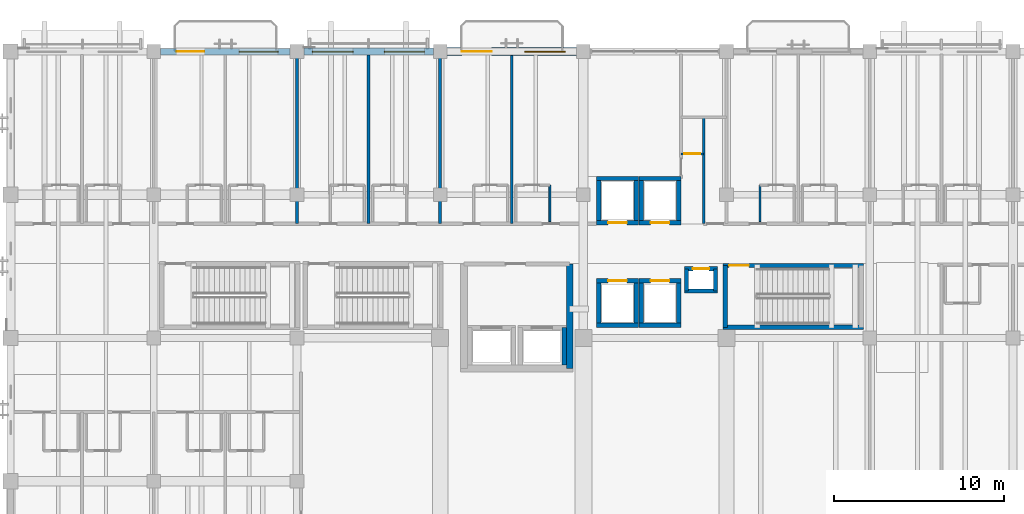
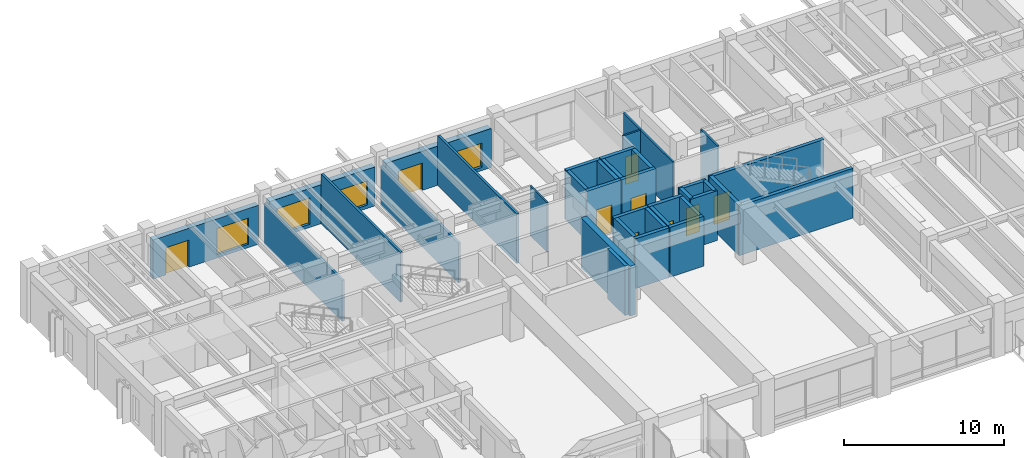
# One storey, part 88 of 132: 36 walls, 9 doors, 4 windows, 13 openings.
"""IFC4 building model written with IfcOpenShell, lengths in metres."""

from ifc_helpers import new_model, si_unit, direction, frame, frame_2d, origin, place, context, subcontext, project, spatial, rectangle, extrude, material, layer, layer_set, type_object, element, fill, save


model = new_model("IFC4")

# Units and contexts
model_context = context("Model", 3, precision=1e-05, world=origin(), true_north=direction((0.0, 1.0)))
body_context = subcontext(model_context, "Body", "Model", "MODEL_VIEW")
ifc_project = project(units=[si_unit("LENGTHUNIT", "METRE"), si_unit("AREAUNIT", "SQUARE_METRE"), si_unit("VOLUMEUNIT", "CUBIC_METRE"), si_unit("PLANEANGLEUNIT", "RADIAN"), si_unit("MASSUNIT", "GRAM", prefix="KILO")], contexts=[model_context])

# Site, building, storey
site_placement = place(None, origin())
site = spatial("IfcSite", under=ifc_project, at=site_placement, CompositionType="ELEMENT")
building_placement = place(site_placement, origin())
building = spatial("IfcBuilding", under=site, at=building_placement, Name="Cumbredor Promenade Congress Hotel", CompositionType="ELEMENT")
storey_placement = place(building_placement, frame((0.0, 0.0, 7.56005859375)))
storey = spatial("IfcBuildingStorey", under=building, at=storey_placement, Name="L02", CompositionType="ELEMENT", Elevation=7.56005859375)

# Walls
ifc_material_1 = material(Name="Concrete C50/60", Category="concrete")
ifc_layer_1 = layer(ifc_material_1, 0.39990234375, Name="Concrete C50/60", Category="concrete")
ifc_layer_set_1 = layer_set([ifc_layer_1], Name="Concrete C50/60")
wall_type_1 = type_object("IfcWallType", Name="Seismic Shear Core Wall 400mm", PredefinedType="SHEAR", material=ifc_layer_set_1)
wall_1_placement = place(storey_placement, frame((32.800048828125, 99.0, 0.0), z_axis=(0.0, 0.0, 1.0), x_axis=(0.0, 1.0, 0.0)))
element("IfcWall", 1, at=wall_1_placement, inside=storey, type_object=wall_type_1, Name="L02 Hotel Core Shear Wall E1", PredefinedType="SHEAR", context=body_context, shape_type="SweptSolid", body=[
    extrude(rectangle(XDim=6.14990234375, YDim=0.39990234375, at=frame_2d((3.074951171875, 0.0))), origin(), (0.0, 0.0, 1.0), 3.800048828125),
])
ifc_material_2 = material(Name="Moisture-resistant gypsum board on steel studs", Category="steel")
ifc_layer_2 = layer(ifc_material_2, 0.114990234375, Name="Moisture-resistant gypsum board on steel studs", Category="steel")
ifc_layer_set_2 = layer_set([ifc_layer_2], Name="Moisture-resistant gypsum board on steel studs")
wall_type_2 = type_object("IfcWallType", Name="WL-BATH-115", PredefinedType="PARTITIONING", material=ifc_layer_set_2)
for number, where, z_axis, x_axis, name in (
    (2, (31.639892578125, 107.6201171875, 0.0), (0.0, 0.0, 1.0), (0.0, 1.0, 0.0), "L02 Interior Partition W-L02-BV2-0208"),
    (3, (43.9599609375, 107.6201171875, 0.0), (0.0, 0.0, 1.0), (0.0, 1.0, 0.0), "L02 Interior Partition W-L02-BV1-0209"),
):
    element("IfcWall", number, at=place(storey_placement, frame(where, z_axis=z_axis, x_axis=x_axis)), inside=storey, type_object=wall_type_2, Name=name, PredefinedType="PARTITIONING", context=body_context, shape_type="SweptSolid", body=[
        extrude(rectangle(XDim=2.14990234375, YDim=0.114990234375, at=frame_2d((1.074951171875, 0.0))), origin(), (0.0, 0.0, 1.0), 3.800048828125),
    ])

# Wall, openings, door, window
ifc_material_3 = material(Name="Concrete C40/50", Category="concrete")
ifc_layer_3 = layer(ifc_material_3, 0.3798828125, Name="Concrete C40/50", Category="concrete")
ifc_layer_set_3 = layer_set([ifc_layer_3], Name="Concrete C40/50")
wall_type_3 = type_object("IfcWallType", Name="WL-EXT-380", PredefinedType="SOLIDWALL", material=ifc_layer_set_3)
wall_2_placement = place(storey_placement, frame((8.801025390625, 117.60009765625, 0.0), z_axis=(0.0, 0.0, 1.0), x_axis=(1.0, 0.0, 0.0)))
wall_2 = element("IfcWall", 4, at=wall_2_placement, inside=storey, type_object=wall_type_3, Name="L02 Stepped Congress Hotel Wing North Envelope Wall 2", PredefinedType="SOLIDWALL", context=body_context, shape_type="SweptSolid", body=[
    extrude(rectangle(XDim=7.597900390625, YDim=0.3798828125, at=frame_2d((3.798828125, 0.0))), origin(), (0.0, 0.0, 1.0), 2.98486328125),
])
opening_1_placement = place(wall_2_placement, frame((0.924072265625, 0.0, 0.0)))
opening_1 = element("IfcOpeningElement", 5, at=opening_1_placement, cuts=wall_2, Name="Opening TD-02", PredefinedType="OPENING", context=body_context, shape_type="SweptSolid", body=[
    extrude(rectangle(XDim=1.64990234375, YDim=2.080078125, at=frame_2d((0.824951171875, 1.0400390625))), frame((0.0, 0.199951171875, 0.0), z_axis=(0.0, -1.0, 0.0), x_axis=(1.0, 0.0, 0.0)), (0.0, 0.0, 1.0), 0.39990234375),
])
opening_2_placement = place(wall_2_placement, frame((4.60888671875, 0.0, 0.25)))
opening_2 = element("IfcOpeningElement", 6, at=opening_2_placement, cuts=wall_2, Name="Opening WN-40", PredefinedType="OPENING", context=body_context, shape_type="SweptSolid", body=[
    extrude(rectangle(XDim=2.280029296875, YDim=2.0, at=frame_2d((1.14013671875, 1.0))), frame((0.0, 0.199951171875, 0.0), z_axis=(0.0, -1.0, 0.0), x_axis=(1.0, 0.0, 0.0)), (0.0, 0.0, 1.0), 0.39990234375),
])
ifc_material_4 = material(Name="Thermally broken anodized aluminium and laminated safety glass", Category="aluminium")
door_type_1 = type_object("IfcDoorType", Name="EXT-DR-TER-1650x2080", OperationType="DOUBLE_DOOR_SINGLE_SWING", PredefinedType="DOOR", material=ifc_material_4)
door_1_placement = place(opening_1_placement, origin())
door_1 = element("IfcDoor", 7, at=door_1_placement, inside=storey, type_object=door_type_1, Name="L02 Guestroom Veranda Balcony Door 037", OperationType="DOUBLE_DOOR_SINGLE_SWING", OverallHeight=2.080078125, OverallWidth=1.64990234375, PredefinedType="DOOR", context=body_context, shape_type="SweptSolid", body=[
    extrude(rectangle(XDim=1.64990234375, YDim=2.080078125, at=frame_2d((0.824951171875, 1.0400390625))), frame((0.0, 0.02490234375, 0.0), z_axis=(0.0, -1.0, 0.0), x_axis=(1.0, 0.0, 0.0)), (0.0, 0.0, 1.0), 0.050048828125),
])
fill(opening_1, door_1)
ifc_material_5 = material(Name="Thermally broken anodized aluminium and low-E glass", Category="aluminium")
window_type_1 = type_object("IfcWindowType", Name="Hospitality Floor-to-Ceiling Window WN-40 2280x2000", PartitioningType="DOUBLE_PANEL_VERTICAL", PredefinedType="WINDOW", material=ifc_material_5)
window_1_placement = place(opening_2_placement, origin())
window_1 = element("IfcWindow", 8, at=window_1_placement, inside=storey, type_object=window_type_1, Name="L02 Veranda Companion Floor-to-Ceiling Window 0311", OverallHeight=2.0, OverallWidth=2.280029296875, PartitioningType="DOUBLE_PANEL_VERTICAL", PredefinedType="WINDOW", context=body_context, shape_type="SweptSolid", body=[
    extrude(rectangle(XDim=2.280029296875, YDim=2.0, at=frame_2d((1.14013671875, 1.0))), frame((0.0, 0.030029296875, 0.0), z_axis=(0.0, -1.0, 0.0), x_axis=(1.0, 0.0, 0.0)), (0.0, 0.0, 1.0), 0.06005859375),
])
fill(opening_2, window_1)

# Wall, openings, windows
ifc_layer_4 = layer(ifc_material_3, 0.425048828125, Name="Concrete C40/50", Category="concrete")
ifc_layer_set_4 = layer_set([ifc_layer_4], Name="Concrete C40/50")
wall_type_4 = type_object("IfcWallType", Name="WL-EXT-425", PredefinedType="SOLIDWALL", material=ifc_layer_set_4)
wall_3_placement = place(storey_placement, frame((17.200927734375, 117.60009765625, 0.0), z_axis=(0.0, 0.0, 1.0), x_axis=(1.0, 0.0, 0.0)))
wall_3 = element("IfcWall", 9, at=wall_3_placement, inside=storey, type_object=wall_type_4, Name="L02 Stepped Congress Hotel Wing North Envelope Wall 3", PredefinedType="SOLIDWALL", context=body_context, shape_type="SweptSolid", body=[
    extrude(rectangle(XDim=7.59814453125, YDim=0.425048828125, at=frame_2d((3.799072265625, 0.0))), origin(), (0.0, 0.0, 1.0), 2.98486328125),
])
opening_3_placement = place(wall_3_placement, frame((0.509033203125, 0.0, 0.25)))
opening_3 = element("IfcOpeningElement", 10, at=opening_3_placement, cuts=wall_3, Name="Opening WN-41", PredefinedType="OPENING", context=body_context, shape_type="SweptSolid", body=[
    extrude(rectangle(XDim=2.3798828125, YDim=2.0, at=frame_2d((1.18994140625, 1.0))), frame((0.0, 0.22265625, 0.0), z_axis=(0.0, -1.0, 0.0), x_axis=(1.0, 0.0, 0.0)), (0.0, 0.0, 1.0), 0.445068359375),
])
opening_4_placement = place(wall_3_placement, frame((4.72412109375, 0.0, 0.25)))
opening_4 = element("IfcOpeningElement", 11, at=opening_4_placement, cuts=wall_3, Name="Opening WN-02", PredefinedType="OPENING", context=body_context, shape_type="SweptSolid", body=[
    extrude(rectangle(XDim=2.35009765625, YDim=1.85009765625, at=frame_2d((1.175048828125, 0.925048828125))), frame((0.0, 0.22265625, 0.0), z_axis=(0.0, -1.0, 0.0), x_axis=(1.0, 0.0, 0.0)), (0.0, 0.0, 1.0), 0.445068359375),
])
window_type_2 = type_object("IfcWindowType", Name="Hospitality Floor-to-Ceiling Window WN-02 2350x1850", PartitioningType="DOUBLE_PANEL_VERTICAL", PredefinedType="WINDOW", material=ifc_material_5)
window_2_placement = place(opening_4_placement, origin())
window_2 = element("IfcWindow", 12, at=window_2_placement, inside=storey, type_object=window_type_2, Name="L02 Wide Hospitality Window 0313", OverallHeight=1.85009765625, OverallWidth=2.35009765625, PartitioningType="DOUBLE_PANEL_VERTICAL", PredefinedType="WINDOW", context=body_context, shape_type="SweptSolid", body=[
    extrude(rectangle(XDim=2.35009765625, YDim=1.85009765625, at=frame_2d((1.175048828125, 0.925048828125))), frame((0.0, 0.030029296875, 0.0), z_axis=(0.0, -1.0, 0.0), x_axis=(1.0, 0.0, 0.0)), (0.0, 0.0, 1.0), 0.06005859375),
])
fill(opening_4, window_2)
window_type_3 = type_object("IfcWindowType", Name="Hospitality Floor-to-Ceiling Window WN-41 2380x2000", PartitioningType="DOUBLE_PANEL_VERTICAL", PredefinedType="WINDOW", material=ifc_material_5)
window_3_placement = place(opening_3_placement, origin())
window_3 = element("IfcWindow", 13, at=window_3_placement, inside=storey, type_object=window_type_3, Name="L02 Wide Hospitality Window 0312", OverallHeight=2.0, OverallWidth=2.3798828125, PartitioningType="DOUBLE_PANEL_VERTICAL", PredefinedType="WINDOW", context=body_context, shape_type="SweptSolid", body=[
    extrude(rectangle(XDim=2.3798828125, YDim=2.0, at=frame_2d((1.18994140625, 1.0))), frame((0.0, 0.030029296875, 0.0), z_axis=(0.0, -1.0, 0.0), x_axis=(1.0, 0.0, 0.0)), (0.0, 0.0, 1.0), 0.06005859375),
])
fill(opening_3, window_3)

# Wall, openings, door, window
ifc_layer_5 = layer(ifc_material_3, 0.449951171875, Name="Concrete C40/50", Category="concrete")
ifc_layer_set_5 = layer_set([ifc_layer_5], Name="Concrete C40/50")
wall_type_5 = type_object("IfcWallType", Name="WL-EXT-450", PredefinedType="SOLIDWALL", material=ifc_layer_set_5)
wall_4_placement = place(storey_placement, frame((25.60107421875, 117.60009765625, 0.0), z_axis=(0.0, 0.0, 1.0), x_axis=(1.0, 0.0, 0.0)))
wall_4 = element("IfcWall", 14, at=wall_4_placement, inside=storey, type_object=wall_type_5, Name="L02 Stepped Congress Hotel Wing North Envelope Wall 4", PredefinedType="SOLIDWALL", context=body_context, shape_type="SweptSolid", body=[
    extrude(rectangle(XDim=7.597900390625, YDim=0.449951171875, at=frame_2d((3.798828125, 0.0))), origin(), (0.0, 0.0, 1.0), 2.98486328125),
])
opening_5_placement = place(wall_4_placement, frame((0.8740234375, 0.0, 0.0)))
opening_5 = element("IfcOpeningElement", 15, at=opening_5_placement, cuts=wall_4, Name="Opening TD-03", PredefinedType="OPENING", context=body_context, shape_type="SweptSolid", body=[
    extrude(rectangle(XDim=1.75, YDim=2.080078125, at=frame_2d((0.875, 1.0400390625))), frame((0.0, 0.23486328125, 0.0), z_axis=(0.0, -1.0, 0.0), x_axis=(1.0, 0.0, 0.0)), (0.0, 0.0, 1.0), 0.469970703125),
])
opening_6_placement = place(wall_4_placement, frame((4.573974609375, 0.0, 0.25)))
opening_6 = element("IfcOpeningElement", 16, at=opening_6_placement, cuts=wall_4, Name="Opening WN-02", PredefinedType="OPENING", context=body_context, shape_type="SweptSolid", body=[
    extrude(rectangle(XDim=2.35009765625, YDim=1.85009765625, at=frame_2d((1.175048828125, 0.925048828125))), frame((0.0, 0.23486328125, 0.0), z_axis=(0.0, -1.0, 0.0), x_axis=(1.0, 0.0, 0.0)), (0.0, 0.0, 1.0), 0.469970703125),
])
door_type_2 = type_object("IfcDoorType", Name="EXT-DR-TER-1750x2080", OperationType="DOUBLE_DOOR_SINGLE_SWING", PredefinedType="DOOR", material=ifc_material_4)
door_2_placement = place(opening_5_placement, origin())
door_2 = element("IfcDoor", 17, at=door_2_placement, inside=storey, type_object=door_type_2, Name="L02 Guestroom Veranda Balcony Door 038", OperationType="DOUBLE_DOOR_SINGLE_SWING", OverallHeight=2.080078125, OverallWidth=1.75, PredefinedType="DOOR", context=body_context, shape_type="SweptSolid", body=[
    extrude(rectangle(XDim=1.75, YDim=2.080078125, at=frame_2d((0.875, 1.0400390625))), frame((0.0, 0.02490234375, 0.0), z_axis=(0.0, -1.0, 0.0), x_axis=(1.0, 0.0, 0.0)), (0.0, 0.0, 1.0), 0.050048828125),
])
fill(opening_5, door_2)
window_4_placement = place(opening_6_placement, origin())
window_4 = element("IfcWindow", 18, at=window_4_placement, inside=storey, type_object=window_type_2, Name="L02 Veranda Companion Floor-to-Ceiling Window 0314", OverallHeight=1.85009765625, OverallWidth=2.35009765625, PartitioningType="DOUBLE_PANEL_VERTICAL", PredefinedType="WINDOW", context=body_context, shape_type="SweptSolid", body=[
    extrude(rectangle(XDim=2.35009765625, YDim=1.85009765625, at=frame_2d((1.175048828125, 0.925048828125))), frame((0.0, 0.030029296875, 0.0), z_axis=(0.0, -1.0, 0.0), x_axis=(1.0, 0.0, 0.0)), (0.0, 0.0, 1.0), 0.06005859375),
])
fill(opening_6, window_4)

# Wall, opening, door
ifc_material_6 = material(Name="Gypsum board on steel studs", Category="steel")
ifc_layer_6 = layer(ifc_material_6, 0.125, Name="Gypsum board on steel studs", Category="steel")
ifc_layer_set_6 = layer_set([ifc_layer_6], Name="Gypsum board on steel studs")
wall_type_6 = type_object("IfcWallType", Name="WL-PART-125", PredefinedType="PARTITIONING", material=ifc_layer_set_6)
wall_5_placement = place(storey_placement, frame((39.330078125, 111.60009765625, 0.0), z_axis=(0.0, 0.0, 1.0), x_axis=(1.0, 0.0, 0.0)))
wall_5 = element("IfcWall", 19, at=wall_5_placement, inside=storey, type_object=wall_type_6, Name="L02 Interior Partition W-L02-HK-S", PredefinedType="PARTITIONING", context=body_context, shape_type="SweptSolid", body=[
    extrude(rectangle(XDim=1.329833984375, YDim=0.125, at=frame_2d((0.6650390625, 0.0))), origin(), (0.0, 0.0, 1.0), 3.800048828125),
])
opening_7_placement = place(wall_5_placement, frame((0.195068359375, 0.0, 0.0)))
opening_7 = element("IfcOpeningElement", 20, at=opening_7_placement, cuts=wall_5, Name="Opening FD-03", PredefinedType="OPENING", context=body_context, shape_type="SweptSolid", body=[
    extrude(rectangle(XDim=0.93994140625, YDim=2.10009765625, at=frame_2d((0.469970703125, 1.050048828125))), frame((0.0, 0.072509765625, 0.0), z_axis=(0.0, -1.0, 0.0), x_axis=(1.0, 0.0, 0.0)), (0.0, 0.0, 1.0), 0.14501953125),
])
ifc_material_7 = material(Name="Painted galvanized steel fire door", Category="steel")
door_type_3 = type_object("IfcDoorType", Name="DR-SGL-FD60-950", OperationType="NOTDEFINED", PredefinedType="DOOR", material=ifc_material_7)
door_3_placement = place(opening_7_placement, origin())
door_3 = element("IfcDoor", 21, at=door_3_placement, inside=storey, type_object=door_type_3, Name="L02 Interior Door W-L02-HK-S-01", OperationType="SINGLE_SWING_LEFT", OverallHeight=2.10009765625, OverallWidth=0.93994140625, PredefinedType="DOOR", context=body_context, shape_type="SweptSolid", body=[
    extrude(rectangle(XDim=0.93994140625, YDim=2.10009765625, at=frame_2d((0.469970703125, 1.050048828125))), frame((0.0, 0.02490234375, 0.0), z_axis=(0.0, -1.0, 0.0), x_axis=(1.0, 0.0, 0.0)), (0.0, 0.0, 1.0), 0.050048828125),
])
fill(opening_7, door_3)

# Walls
wall_6_placement = place(storey_placement, frame((40.659912109375, 107.5, 0.0), z_axis=(0.0, 0.0, 1.0), x_axis=(0.0, 1.0, 0.0)))
element("IfcWall", 22, at=wall_6_placement, inside=storey, type_object=wall_type_6, Name="L02 Interior Partition W-L02-HK-DIV", PredefinedType="PARTITIONING", context=body_context, shape_type="SweptSolid", body=[
    extrude(rectangle(XDim=6.25, YDim=0.125, at=frame_2d((3.125, 0.0))), origin(), (0.0, 0.0, 1.0), 3.800048828125),
])
ifc_layer_7 = layer(ifc_material_3, 0.2548828125, Name="Concrete C40/50", Category="concrete")
ifc_layer_set_7 = layer_set([ifc_layer_7], Name="Concrete C40/50")
wall_type_7 = type_object("IfcWallType", Name="WL-SHAFT-250", PredefinedType="SOLIDWALL", material=ifc_layer_set_7)
wall_7_placement = place(storey_placement, frame((41.802490234375, 101.419921875, 0.0), z_axis=(0.0, 0.0, 1.0), x_axis=(1.0, 0.0, 0.0)))
element("IfcWall", 23, at=wall_7_placement, inside=storey, type_object=wall_type_7, Name="STAIR-ST-03-L02 Shaft Wall South", PredefinedType="SOLIDWALL", context=body_context, shape_type="SweptSolid", body=[
    extrude(rectangle(XDim=8.22509765625, YDim=0.2548828125, at=frame_2d((4.112548828125, 0.0))), origin(), (0.0, 0.0, 1.0), 3.800048828125),
])

# Wall, opening, door
wall_8_placement = place(storey_placement, frame((41.802490234375, 105.050048828125, 0.0), z_axis=(0.0, 0.0, 1.0), x_axis=(1.0, 0.0, 0.0)))
wall_8 = element("IfcWall", 24, at=wall_8_placement, inside=storey, type_object=wall_type_7, Name="STAIR-ST-03-L02 Shaft Wall North", PredefinedType="SOLIDWALL", context=body_context, shape_type="SweptSolid", body=[
    extrude(rectangle(XDim=8.22509765625, YDim=0.2548828125, at=frame_2d((4.112548828125, 0.0))), origin(), (0.0, 0.0, 1.0), 3.800048828125),
])
opening_8_placement = place(wall_8_placement, frame((0.35009765625, 0.0, 0.0)))
opening_8 = element("IfcOpeningElement", 25, at=opening_8_placement, cuts=wall_8, Name="Opening SD-01", PredefinedType="OPENING", context=body_context, shape_type="SweptSolid", body=[
    extrude(rectangle(XDim=1.159912109375, YDim=2.14990234375, at=frame_2d((0.580078125, 1.074951171875))), frame((0.0, 0.137451171875, 0.0), z_axis=(0.0, -1.0, 0.0), x_axis=(1.0, 0.0, 0.0)), (0.0, 0.0, 1.0), 0.27490234375),
])
door_type_4 = type_object("IfcDoorType", Name="DR-STAIR-FD90-1150", OperationType="NOTDEFINED", PredefinedType="DOOR", material=ifc_material_7)
door_4_placement = place(opening_8_placement, origin())
door_4 = element("IfcDoor", 26, at=door_4_placement, inside=storey, type_object=door_type_4, Name="L02 Protected Exit Stair ST-03 Door", OperationType="SINGLE_SWING_RIGHT", OverallHeight=2.14990234375, OverallWidth=1.159912109375, PredefinedType="DOOR", context=body_context, shape_type="SweptSolid", body=[
    extrude(rectangle(XDim=1.159912109375, YDim=2.14990234375, at=frame_2d((0.580078125, 1.074951171875))), frame((0.0, 0.02490234375, 0.0), z_axis=(0.0, -1.0, 0.0), x_axis=(1.0, 0.0, 0.0)), (0.0, 0.0, 1.0), 0.050048828125),
])
fill(opening_8, door_4)

# Walls
wall_9_placement = place(storey_placement, frame((41.929931640625, 101.419921875, 0.0), z_axis=(0.0, 0.0, 1.0), x_axis=(0.0, 1.0, 0.0)))
element("IfcWall", 27, at=wall_9_placement, inside=storey, type_object=wall_type_7, Name="STAIR-ST-03-L02 Shaft Wall West", PredefinedType="SOLIDWALL", context=body_context, shape_type="SweptSolid", body=[
    extrude(rectangle(XDim=3.630126953125, YDim=0.2548828125, at=frame_2d((1.81494140625, 0.0))), origin(), (0.0, 0.0, 1.0), 3.800048828125),
])
wall_10_placement = place(storey_placement, frame((32.469970703125, 99.199951171875, 0.0), z_axis=(0.0, 0.0, 1.0), x_axis=(0.0, 1.0, 0.0)))
element("IfcWall", 28, at=wall_10_placement, inside=storey, type_object=wall_type_7, Name="SHAFT-FF-02-L02 Shaft Wall East", PredefinedType="SOLIDWALL", context=body_context, shape_type="SweptSolid", body=[
    extrude(rectangle(XDim=2.199951171875, YDim=0.2548828125, at=frame_2d((1.10009765625, 0.0))), origin(), (0.0, 0.0, 1.0), 3.800048828125),
])

# Wall, opening, door
wall_11_placement = place(storey_placement, frame((34.37255859375, 107.550048828125, 0.0), z_axis=(0.0, 0.0, 1.0), x_axis=(1.0, 0.0, 0.0)))
wall_11 = element("IfcWall", 29, at=wall_11_placement, inside=storey, type_object=wall_type_7, Name="SHAFT-PL-01-L02 Shaft Wall South", PredefinedType="SOLIDWALL", context=body_context, shape_type="SweptSolid", body=[
    extrude(rectangle(XDim=2.454833984375, YDim=0.2548828125, at=frame_2d((1.2275390625, 0.0))), origin(), (0.0, 0.0, 1.0), 3.800048828125),
])
opening_9_placement = place(wall_11_placement, frame((0.677490234375, 0.0, 0.0)))
opening_9 = element("IfcOpeningElement", 30, at=opening_9_placement, cuts=wall_11, Name="Opening LD-01", PredefinedType="OPENING", context=body_context, shape_type="SweptSolid", body=[
    extrude(rectangle(XDim=1.10009765625, YDim=2.14990234375, at=frame_2d((0.550048828125, 1.074951171875))), frame((0.0, 0.137451171875, 0.0), z_axis=(0.0, -1.0, 0.0), x_axis=(1.0, 0.0, 0.0)), (0.0, 0.0, 1.0), 0.27490234375),
])
ifc_material_8 = material(Name="Brushed stainless steel", Category="steel")
door_type_5 = type_object("IfcDoorType", Name="Lift Landing Sliding Door LD-01 1100x2150", OperationType="DOUBLE_DOOR_SLIDING", PredefinedType="DOOR", material=ifc_material_8)
door_5_placement = place(opening_9_placement, origin())
door_5 = element("IfcDoor", 31, at=door_5_placement, inside=storey, type_object=door_type_5, Name="L02 Hotel Passenger Lift PL-01 Sliding Landing Door", OperationType="DOUBLE_DOOR_SLIDING", OverallHeight=2.14990234375, OverallWidth=1.10009765625, PredefinedType="DOOR", context=body_context, shape_type="SweptSolid", body=[
    extrude(rectangle(XDim=1.10009765625, YDim=2.14990234375, at=frame_2d((0.550048828125, 1.074951171875))), frame((0.0, 0.02490234375, 0.0), z_axis=(0.0, -1.0, 0.0), x_axis=(1.0, 0.0, 0.0)), (0.0, 0.0, 1.0), 0.050048828125),
])
fill(opening_9, door_5)

# Walls
wall_12_placement = place(storey_placement, frame((34.37255859375, 110.14990234375, 0.0), z_axis=(0.0, 0.0, 1.0), x_axis=(1.0, 0.0, 0.0)))
element("IfcWall", 32, at=wall_12_placement, inside=storey, type_object=wall_type_7, Name="SHAFT-PL-01-L02 Shaft Wall North", PredefinedType="SOLIDWALL", context=body_context, shape_type="SweptSolid", body=[
    extrude(rectangle(XDim=2.454833984375, YDim=0.2548828125, at=frame_2d((1.2275390625, 0.0))), origin(), (0.0, 0.0, 1.0), 3.800048828125),
])
for number, where, z_axis, x_axis, name in (
    (33, (34.5, 107.550048828125, 0.0), (0.0, 0.0, 1.0), (0.0, 1.0, 0.0), "SHAFT-PL-01-L02 Shaft Wall West"),
    (34, (36.699951171875, 107.550048828125, 0.0), (0.0, 0.0, 1.0), (0.0, 1.0, 0.0), "SHAFT-PL-01-L02 Shaft Wall East"),
):
    element("IfcWall", number, at=place(storey_placement, frame(where, z_axis=z_axis, x_axis=x_axis)), inside=storey, type_object=wall_type_7, Name=name, PredefinedType="SOLIDWALL", context=body_context, shape_type="SweptSolid", body=[
        extrude(rectangle(XDim=2.599853515625, YDim=0.2548828125, at=frame_2d((1.2998046875, 0.0))), origin(), (0.0, 0.0, 1.0), 3.800048828125),
    ])

# Wall, opening, door
wall_13_placement = place(storey_placement, frame((36.87255859375, 107.550048828125, 0.0), z_axis=(0.0, 0.0, 1.0), x_axis=(1.0, 0.0, 0.0)))
wall_13 = element("IfcWall", 35, at=wall_13_placement, inside=storey, type_object=wall_type_7, Name="SHAFT-PL-02-L02 Shaft Wall South", PredefinedType="SOLIDWALL", context=body_context, shape_type="SweptSolid", body=[
    extrude(rectangle(XDim=2.454833984375, YDim=0.2548828125, at=frame_2d((1.2275390625, 0.0))), origin(), (0.0, 0.0, 1.0), 3.800048828125),
])
opening_10_placement = place(wall_13_placement, frame((0.677490234375, 0.0, 0.0)))
opening_10 = element("IfcOpeningElement", 36, at=opening_10_placement, cuts=wall_13, Name="Opening LD-01", PredefinedType="OPENING", context=body_context, shape_type="SweptSolid", body=[
    extrude(rectangle(XDim=1.10009765625, YDim=2.14990234375, at=frame_2d((0.550048828125, 1.074951171875))), frame((0.0, 0.137451171875, 0.0), z_axis=(0.0, -1.0, 0.0), x_axis=(1.0, 0.0, 0.0)), (0.0, 0.0, 1.0), 0.27490234375),
])
door_6_placement = place(opening_10_placement, origin())
door_6 = element("IfcDoor", 37, at=door_6_placement, inside=storey, type_object=door_type_5, Name="L02 Hotel Passenger Lift PL-02 Sliding Landing Door", OperationType="DOUBLE_DOOR_SLIDING", OverallHeight=2.14990234375, OverallWidth=1.10009765625, PredefinedType="DOOR", context=body_context, shape_type="SweptSolid", body=[
    extrude(rectangle(XDim=1.10009765625, YDim=2.14990234375, at=frame_2d((0.550048828125, 1.074951171875))), frame((0.0, 0.02490234375, 0.0), z_axis=(0.0, -1.0, 0.0), x_axis=(1.0, 0.0, 0.0)), (0.0, 0.0, 1.0), 0.050048828125),
])
fill(opening_10, door_6)

# Walls
wall_14_placement = place(storey_placement, frame((36.87255859375, 110.14990234375, 0.0), z_axis=(0.0, 0.0, 1.0), x_axis=(1.0, 0.0, 0.0)))
element("IfcWall", 38, at=wall_14_placement, inside=storey, type_object=wall_type_7, Name="SHAFT-PL-02-L02 Shaft Wall North", PredefinedType="SOLIDWALL", context=body_context, shape_type="SweptSolid", body=[
    extrude(rectangle(XDim=2.454833984375, YDim=0.2548828125, at=frame_2d((1.2275390625, 0.0))), origin(), (0.0, 0.0, 1.0), 3.800048828125),
])
for number, where, z_axis, x_axis, name in (
    (39, (37.0, 107.550048828125, 0.0), (0.0, 0.0, 1.0), (0.0, 1.0, 0.0), "SHAFT-PL-02-L02 Shaft Wall West"),
    (40, (39.199951171875, 107.550048828125, 0.0), (0.0, 0.0, 1.0), (0.0, 1.0, 0.0), "SHAFT-PL-02-L02 Shaft Wall East"),
):
    element("IfcWall", number, at=place(storey_placement, frame(where, z_axis=z_axis, x_axis=x_axis)), inside=storey, type_object=wall_type_7, Name=name, PredefinedType="SOLIDWALL", context=body_context, shape_type="SweptSolid", body=[
        extrude(rectangle(XDim=2.599853515625, YDim=0.2548828125, at=frame_2d((1.2998046875, 0.0))), origin(), (0.0, 0.0, 1.0), 3.800048828125),
    ])
wall_15_placement = place(storey_placement, frame((34.37255859375, 101.550048828125, 0.0), z_axis=(0.0, 0.0, 1.0), x_axis=(1.0, 0.0, 0.0)))
element("IfcWall", 41, at=wall_15_placement, inside=storey, type_object=wall_type_7, Name="SHAFT-PL-03-L02 Shaft Wall South", PredefinedType="SOLIDWALL", context=body_context, shape_type="SweptSolid", body=[
    extrude(rectangle(XDim=2.454833984375, YDim=0.2548828125, at=frame_2d((1.2275390625, 0.0))), origin(), (0.0, 0.0, 1.0), 3.800048828125),
])

# Wall, opening, door
wall_16_placement = place(storey_placement, frame((34.37255859375, 104.14990234375, 0.0), z_axis=(0.0, 0.0, 1.0), x_axis=(1.0, 0.0, 0.0)))
wall_16 = element("IfcWall", 42, at=wall_16_placement, inside=storey, type_object=wall_type_7, Name="SHAFT-PL-03-L02 Shaft Wall North", PredefinedType="SOLIDWALL", context=body_context, shape_type="SweptSolid", body=[
    extrude(rectangle(XDim=2.454833984375, YDim=0.2548828125, at=frame_2d((1.2275390625, 0.0))), origin(), (0.0, 0.0, 1.0), 3.800048828125),
])
opening_11_placement = place(wall_16_placement, frame((0.677490234375, 0.0, 0.0)))
opening_11 = element("IfcOpeningElement", 43, at=opening_11_placement, cuts=wall_16, Name="Opening LD-01", PredefinedType="OPENING", context=body_context, shape_type="SweptSolid", body=[
    extrude(rectangle(XDim=1.10009765625, YDim=2.14990234375, at=frame_2d((0.550048828125, 1.074951171875))), frame((0.0, 0.137451171875, 0.0), z_axis=(0.0, -1.0, 0.0), x_axis=(1.0, 0.0, 0.0)), (0.0, 0.0, 1.0), 0.27490234375),
])
door_7_placement = place(opening_11_placement, origin())
door_7 = element("IfcDoor", 44, at=door_7_placement, inside=storey, type_object=door_type_5, Name="L02 Hotel Passenger Lift PL-03 Sliding Landing Door", OperationType="DOUBLE_DOOR_SLIDING", OverallHeight=2.14990234375, OverallWidth=1.10009765625, PredefinedType="DOOR", context=body_context, shape_type="SweptSolid", body=[
    extrude(rectangle(XDim=1.10009765625, YDim=2.14990234375, at=frame_2d((0.550048828125, 1.074951171875))), frame((0.0, 0.02490234375, 0.0), z_axis=(0.0, -1.0, 0.0), x_axis=(1.0, 0.0, 0.0)), (0.0, 0.0, 1.0), 0.050048828125),
])
fill(opening_11, door_7)

# Walls
for number, where, z_axis, x_axis, name in (
    (45, (34.5, 101.550048828125, 0.0), (0.0, 0.0, 1.0), (0.0, 1.0, 0.0), "SHAFT-PL-03-L02 Shaft Wall West"),
    (46, (36.699951171875, 101.550048828125, 0.0), (0.0, 0.0, 1.0), (0.0, 1.0, 0.0), "SHAFT-PL-03-L02 Shaft Wall East"),
):
    element("IfcWall", number, at=place(storey_placement, frame(where, z_axis=z_axis, x_axis=x_axis)), inside=storey, type_object=wall_type_7, Name=name, PredefinedType="SOLIDWALL", context=body_context, shape_type="SweptSolid", body=[
        extrude(rectangle(XDim=2.599853515625, YDim=0.2548828125, at=frame_2d((1.2998046875, 0.0))), origin(), (0.0, 0.0, 1.0), 3.800048828125),
    ])
wall_17_placement = place(storey_placement, frame((36.87255859375, 101.550048828125, 0.0), z_axis=(0.0, 0.0, 1.0), x_axis=(1.0, 0.0, 0.0)))
element("IfcWall", 47, at=wall_17_placement, inside=storey, type_object=wall_type_7, Name="SHAFT-PL-04-L02 Shaft Wall South", PredefinedType="SOLIDWALL", context=body_context, shape_type="SweptSolid", body=[
    extrude(rectangle(XDim=2.454833984375, YDim=0.2548828125, at=frame_2d((1.2275390625, 0.0))), origin(), (0.0, 0.0, 1.0), 3.800048828125),
])

# Wall, opening, door
wall_18_placement = place(storey_placement, frame((36.87255859375, 104.14990234375, 0.0), z_axis=(0.0, 0.0, 1.0), x_axis=(1.0, 0.0, 0.0)))
wall_18 = element("IfcWall", 48, at=wall_18_placement, inside=storey, type_object=wall_type_7, Name="SHAFT-PL-04-L02 Shaft Wall North", PredefinedType="SOLIDWALL", context=body_context, shape_type="SweptSolid", body=[
    extrude(rectangle(XDim=2.454833984375, YDim=0.2548828125, at=frame_2d((1.2275390625, 0.0))), origin(), (0.0, 0.0, 1.0), 3.800048828125),
])
opening_12_placement = place(wall_18_placement, frame((0.677490234375, 0.0, 0.0)))
opening_12 = element("IfcOpeningElement", 49, at=opening_12_placement, cuts=wall_18, Name="Opening LD-01", PredefinedType="OPENING", context=body_context, shape_type="SweptSolid", body=[
    extrude(rectangle(XDim=1.10009765625, YDim=2.14990234375, at=frame_2d((0.550048828125, 1.074951171875))), frame((0.0, 0.137451171875, 0.0), z_axis=(0.0, -1.0, 0.0), x_axis=(1.0, 0.0, 0.0)), (0.0, 0.0, 1.0), 0.27490234375),
])
door_8_placement = place(opening_12_placement, origin())
door_8 = element("IfcDoor", 50, at=door_8_placement, inside=storey, type_object=door_type_5, Name="L02 Hotel Passenger Lift PL-04 Sliding Landing Door", OperationType="DOUBLE_DOOR_SLIDING", OverallHeight=2.14990234375, OverallWidth=1.10009765625, PredefinedType="DOOR", context=body_context, shape_type="SweptSolid", body=[
    extrude(rectangle(XDim=1.10009765625, YDim=2.14990234375, at=frame_2d((0.550048828125, 1.074951171875))), frame((0.0, 0.02490234375, 0.0), z_axis=(0.0, -1.0, 0.0), x_axis=(1.0, 0.0, 0.0)), (0.0, 0.0, 1.0), 0.050048828125),
])
fill(opening_12, door_8)

# Walls
for number, where, z_axis, x_axis, name in (
    (51, (37.0, 101.550048828125, 0.0), (0.0, 0.0, 1.0), (0.0, 1.0, 0.0), "SHAFT-PL-04-L02 Shaft Wall West"),
    (52, (39.199951171875, 101.550048828125, 0.0), (0.0, 0.0, 1.0), (0.0, 1.0, 0.0), "SHAFT-PL-04-L02 Shaft Wall East"),
):
    element("IfcWall", number, at=place(storey_placement, frame(where, z_axis=z_axis, x_axis=x_axis)), inside=storey, type_object=wall_type_7, Name=name, PredefinedType="SOLIDWALL", context=body_context, shape_type="SweptSolid", body=[
        extrude(rectangle(XDim=2.599853515625, YDim=0.2548828125, at=frame_2d((1.2998046875, 0.0))), origin(), (0.0, 0.0, 1.0), 3.800048828125),
    ])
wall_19_placement = place(storey_placement, frame((39.5224609375, 103.550048828125, 0.0), z_axis=(0.0, 0.0, 1.0), x_axis=(1.0, 0.0, 0.0)))
element("IfcWall", 53, at=wall_19_placement, inside=storey, type_object=wall_type_7, Name="RISER-MEP-R1-L02 Shaft Wall South", PredefinedType="SOLIDWALL", context=body_context, shape_type="SweptSolid", body=[
    extrude(rectangle(XDim=1.955078125, YDim=0.2548828125, at=frame_2d((0.9775390625, 0.0))), origin(), (0.0, 0.0, 1.0), 3.800048828125),
])

# Wall, opening, door
wall_20_placement = place(storey_placement, frame((39.5224609375, 104.85009765625, 0.0), z_axis=(0.0, 0.0, 1.0), x_axis=(1.0, 0.0, 0.0)))
wall_20 = element("IfcWall", 54, at=wall_20_placement, inside=storey, type_object=wall_type_7, Name="RISER-MEP-R1-L02 Shaft Wall North", PredefinedType="SOLIDWALL", context=body_context, shape_type="SweptSolid", body=[
    extrude(rectangle(XDim=1.955078125, YDim=0.2548828125, at=frame_2d((0.9775390625, 0.0))), origin(), (0.0, 0.0, 1.0), 3.800048828125),
])
opening_13_placement = place(wall_20_placement, frame((0.507568359375, 0.0, 0.0)))
opening_13 = element("IfcOpeningElement", 55, at=opening_13_placement, cuts=wall_20, Name="Opening FD-03", PredefinedType="OPENING", context=body_context, shape_type="SweptSolid", body=[
    extrude(rectangle(XDim=0.93994140625, YDim=2.10009765625, at=frame_2d((0.469970703125, 1.050048828125))), frame((0.0, 0.137451171875, 0.0), z_axis=(0.0, -1.0, 0.0), x_axis=(1.0, 0.0, 0.0)), (0.0, 0.0, 1.0), 0.27490234375),
])
door_9_placement = place(opening_13_placement, origin())
door_9 = element("IfcDoor", 56, at=door_9_placement, inside=storey, type_object=door_type_3, Name="L02 Hotel MEP Riser Shaft R1 Access Door", OperationType="SINGLE_SWING_LEFT", OverallHeight=2.10009765625, OverallWidth=0.93994140625, PredefinedType="DOOR", context=body_context, shape_type="SweptSolid", body=[
    extrude(rectangle(XDim=0.93994140625, YDim=2.10009765625, at=frame_2d((0.469970703125, 1.050048828125))), frame((0.0, 0.02490234375, 0.0), z_axis=(0.0, -1.0, 0.0), x_axis=(1.0, 0.0, 0.0)), (0.0, 0.0, 1.0), 0.050048828125),
])
fill(opening_13, door_9)

# Walls
for number, where, z_axis, x_axis, name in (
    (57, (39.64990234375, 103.550048828125, 0.0), (0.0, 0.0, 1.0), (0.0, 1.0, 0.0), "RISER-MEP-R1-L02 Shaft Wall West"),
    (58, (41.35009765625, 103.550048828125, 0.0), (0.0, 0.0, 1.0), (0.0, 1.0, 0.0), "RISER-MEP-R1-L02 Shaft Wall East"),
):
    element("IfcWall", number, at=place(storey_placement, frame(where, z_axis=z_axis, x_axis=x_axis)), inside=storey, type_object=wall_type_7, Name=name, PredefinedType="SOLIDWALL", context=body_context, shape_type="SweptSolid", body=[
        extrude(rectangle(XDim=1.300048828125, YDim=0.2548828125, at=frame_2d((0.64990234375, 0.0))), origin(), (0.0, 0.0, 1.0), 3.800048828125),
    ])
ifc_material_9 = material(Name="Fire-rated acoustic double-stud partition")
ifc_layer_8 = layer(ifc_material_9, 0.1650390625, Name="Fire-rated acoustic double-stud partition")
ifc_layer_set_8 = layer_set([ifc_layer_8], Name="Fire-rated acoustic double-stud partition")
wall_type_8 = type_object("IfcWallType", Name="WL-UNIT-165", PredefinedType="PARTITIONING", material=ifc_layer_set_8)
wall_21_placement = place(storey_placement, frame((21.0, 107.5, 0.0), z_axis=(0.0, 0.0, 1.0), x_axis=(0.0, 1.0, 0.0)))
element("IfcWall", 59, at=wall_21_placement, inside=storey, type_object=wall_type_8, Name="L02 Interior Partition W-L02-N-DIV-2-M", PredefinedType="PARTITIONING", context=body_context, shape_type="SweptSolid", body=[
    extrude(rectangle(XDim=9.887451171875, YDim=0.1650390625, at=frame_2d((4.94384765625, 0.0))), origin(), (0.0, 0.0, 1.0), 3.800048828125),
])
wall_22_placement = place(storey_placement, frame((16.800048828125, 107.5, 0.0), z_axis=(0.0, 0.0, 1.0), x_axis=(0.0, 1.0, 0.0)))
element("IfcWall", 60, at=wall_22_placement, inside=storey, type_object=wall_type_8, Name="L02 Interior Partition W-L02-N-DIV-2-G", PredefinedType="PARTITIONING", context=body_context, shape_type="SweptSolid", body=[
    extrude(rectangle(XDim=9.75, YDim=0.1650390625, at=frame_2d((4.875, 0.0))), origin(), (0.0, 0.0, 1.0), 3.135009765625),
])
wall_23_placement = place(storey_placement, frame((29.39990234375, 107.5, 0.0), z_axis=(0.0, 0.0, 1.0), x_axis=(0.0, 1.0, 0.0)))
element("IfcWall", 61, at=wall_23_placement, inside=storey, type_object=wall_type_8, Name="L02 Interior Partition W-L02-N-DIV-3-M", PredefinedType="PARTITIONING", context=body_context, shape_type="SweptSolid", body=[
    extrude(rectangle(XDim=9.875, YDim=0.1650390625, at=frame_2d((4.9375, 0.0))), origin(), (0.0, 0.0, 1.0), 3.800048828125),
])
wall_24_placement = place(storey_placement, frame((25.199951171875, 107.5, 0.0), z_axis=(0.0, 0.0, 1.0), x_axis=(0.0, 1.0, 0.0)))
element("IfcWall", 62, at=wall_24_placement, inside=storey, type_object=wall_type_8, Name="L02 Interior Partition W-L02-N-DIV-3-G", PredefinedType="PARTITIONING", context=body_context, shape_type="SweptSolid", body=[
    extrude(rectangle(XDim=9.75, YDim=0.1650390625, at=frame_2d((4.875, 0.0))), origin(), (0.0, 0.0, 1.0), 3.034912109375),
])

save(model, "model.ifc")
